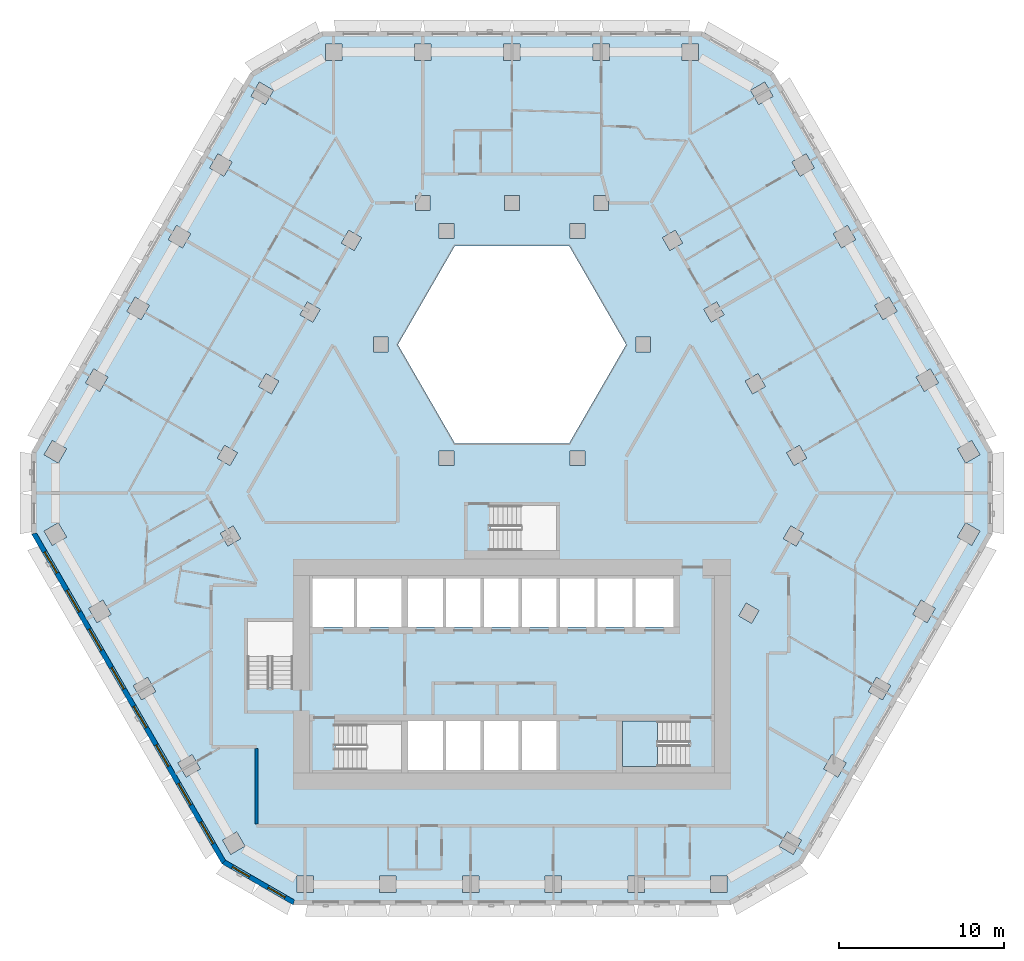
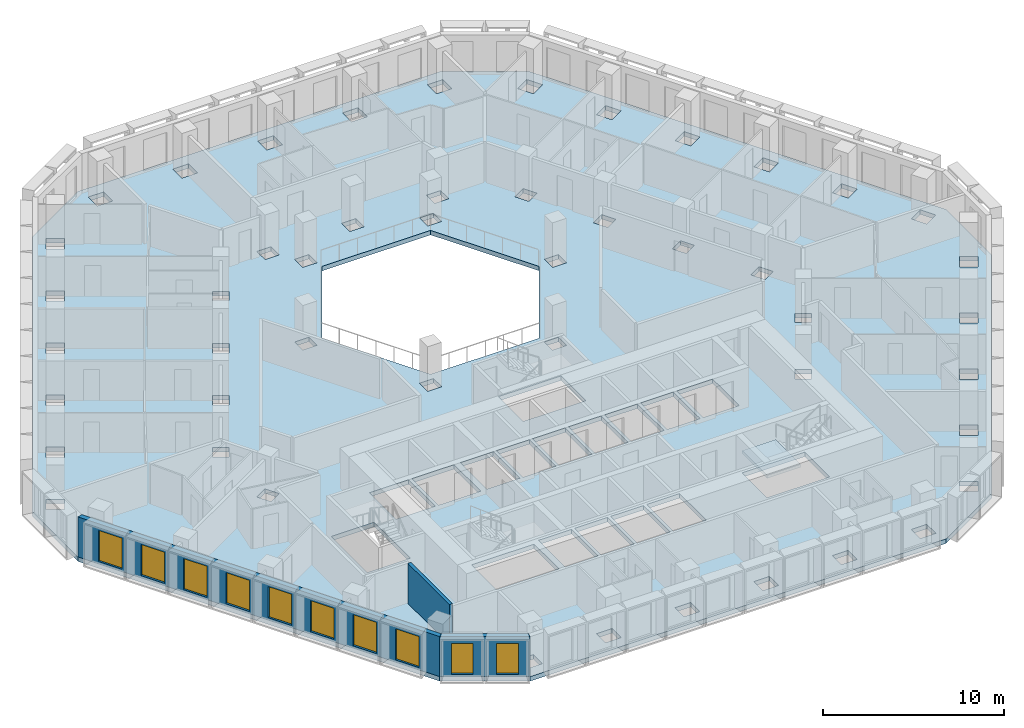
# One storey, part 2 of 18: 10 windows, 3 walls, 2 slabs, 10 openings, 1 element without a shape of its own.
"""IFC4 building model written with IfcOpenShell, lengths in metres."""

from ifc_helpers import new_model, si_unit, direction, frame, frame_2d, origin, place, context, subcontext, project, spatial, polyline, rectangle, outline, extrude, material, layer, layer_set, type_object, element, fill, aggregate, save


model = new_model("IFC4")

# Units and contexts
model_context = context("Model", 3, precision=1e-05, world=origin(), true_north=direction((0.0, 1.0)))
body_context = subcontext(model_context, "Body", "Model", "MODEL_VIEW")
ifc_project = project(units=[si_unit("LENGTHUNIT", "METRE"), si_unit("AREAUNIT", "SQUARE_METRE"), si_unit("VOLUMEUNIT", "CUBIC_METRE"), si_unit("PLANEANGLEUNIT", "RADIAN"), si_unit("MASSUNIT", "GRAM", prefix="KILO")], contexts=[model_context])

# Site, building, storey
site_placement = place(None, origin())
site = spatial("IfcSite", under=ifc_project, at=site_placement, CompositionType="ELEMENT")
building_placement = place(site_placement, origin())
building = spatial("IfcBuilding", under=site, at=building_placement, Name="Beryl Residences", CompositionType="ELEMENT")
storey_placement = place(building_placement, frame((0.0, 0.0, 99.0)))
storey = spatial("IfcBuildingStorey", under=building, at=storey_placement, Name="L30", CompositionType="ELEMENT", Elevation=99.0)

# Slab
ifc_material_1 = material(Name="Concrete C40/50", Category="concrete")
ifc_layer_1 = layer(ifc_material_1, 0.300048828125)
ifc_layer_set_1 = layer_set([ifc_layer_1], Name="SL7 PT floor slab 300 mm C40/50")
slab_type_1 = type_object("IfcSlabType", Name="SL7 PT floor slab 300 mm C40/50", PredefinedType="FLOOR", material=ifc_layer_set_1)
slab_1_placement = place(storey_placement, frame((0.0, 0.0, -0.300048828125)))
element("IfcSlab", 1, at=slab_1_placement, inside=storey, type_object=slab_type_1, Name="L30 slab 1", PredefinedType="FLOOR", context=body_context, shape_type="SweptSolid", body=[
    extrude(outline(polyline([(29.156982421875, -3.5), (17.60888671875, -23.5), (13.279052734375, -26.0), (-13.279052734375, -26.0), (-17.60888671875, -23.5), (-29.156982421875, -3.5), (-29.156982421875, 1.5), (-15.876953125, 24.5), (-11.547119140625, 27.0), (11.547119140625, 27.0), (15.876953125, 24.5), (29.156982421875, 1.5), (29.156982421875, -3.5)]), holes=[polyline([(28.39697265625, 1.31591796875), (27.89697265625, 2.181884765625), (27.031005859375, 1.681884765625), (27.531005859375, 0.81591796875), (28.39697265625, 1.31591796875)]), polyline([(28.39697265625, -3.31591796875), (27.531005859375, -2.81591796875), (27.031005859375, -3.681884765625), (27.89697265625, -4.181884765625), (28.39697265625, -3.31591796875)]), polyline([(25.385009765625, 6.532958984375), (24.51904296875, 6.032958984375), (25.01904296875, 5.1669921875), (25.885009765625, 5.6669921875), (25.385009765625, 6.532958984375)]), polyline([(25.68994140625, -8.00390625), (24.823974609375, -7.50390625), (24.323974609375, -8.3701171875), (25.18994140625, -8.8701171875), (25.68994140625, -8.00390625)]), polyline([(22.873046875, 10.883056640625), (22.007080078125, 10.383056640625), (22.507080078125, 9.51708984375), (23.373046875, 10.01708984375), (22.873046875, 10.883056640625)]), polyline([(22.116943359375, -12.19189453125), (21.616943359375, -13.05810546875), (22.48291015625, -13.55810546875), (22.98291015625, -12.69189453125), (22.116943359375, -12.19189453125)]), polyline([(20.362060546875, 15.23291015625), (19.49609375, 14.73291015625), (19.99609375, 13.866943359375), (20.862060546875, 14.366943359375), (20.362060546875, 15.23291015625)]), polyline([(19.777099609375, -18.24609375), (20.277099609375, -17.3798828125), (19.410888671875, -16.8798828125), (18.910888671875, -17.74609375), (19.777099609375, -18.24609375)]), polyline([(17.85009765625, 19.5830078125), (16.98388671875, 19.0830078125), (17.48388671875, 18.217041015625), (18.35009765625, 18.717041015625), (17.85009765625, 19.5830078125)]), polyline([(17.443115234375, 1.888916015625), (16.6630859375, 1.43896484375), (17.113037109375, 0.658935546875), (17.89306640625, 1.10888671875), (17.443115234375, 1.888916015625)]), polyline([(17.697998046875, -3.447021484375), (16.91796875, -2.9970703125), (16.468017578125, -3.777099609375), (17.248046875, -4.22705078125), (17.697998046875, -3.447021484375)]), polyline([(17.570068359375, -22.068115234375), (16.7041015625, -21.568115234375), (16.2041015625, -22.43408203125), (17.070068359375, -22.93408203125), (17.570068359375, -22.068115234375)]), polyline([(15.839111328125, 23.06689453125), (15.339111328125, 23.93310546875), (14.472900390625, 23.43310546875), (14.972900390625, 22.56689453125), (15.839111328125, 23.06689453125)]), polyline([(14.930908203125, 6.239990234375), (14.15087890625, 5.7900390625), (14.60107421875, 5.010009765625), (15.381103515625, 5.4599609375), (14.930908203125, 6.239990234375)]), polyline([(14.990966796875, -8.135009765625), (14.2109375, -7.68505859375), (13.760986328125, -8.465087890625), (14.541015625, -8.9150390625), (14.990966796875, -8.135009765625)]), polyline([(13.05810546875, -25.25), (13.05810546875, -24.25), (12.05810546875, -24.25), (12.05810546875, -25.25), (13.05810546875, -25.25)]), polyline([(12.419921875, 10.590087890625), (11.639892578125, 10.139892578125), (12.090087890625, 9.360107421875), (12.8701171875, 9.81005859375), (12.419921875, 10.590087890625)]), polyline([(11.324951171875, 26.25), (10.324951171875, 26.25), (10.324951171875, 25.25), (11.324951171875, 25.25), (11.324951171875, 26.25)]), polyline([(10.699951171875, -14.85009765625), (6.699951171875, -14.85009765625), (6.699951171875, -17.60009765625), (10.699951171875, -17.60009765625), (10.699951171875, -14.85009765625)]), polyline([(9.1279296875, 14.489990234375), (9.577880859375, 13.7099609375), (10.35791015625, 14.159912109375), (9.907958984375, 14.93994140625), (9.1279296875, 14.489990234375)]), polyline([(9.800048828125, -6.199951171875), (7.5, -6.199951171875), (7.5, -9.14990234375), (9.800048828125, -9.14990234375), (9.800048828125, -6.199951171875)]), polyline([(8.4169921875, 7.550048828125), (8.4169921875, 8.449951171875), (7.51708984375, 8.449951171875), (7.51708984375, 7.550048828125), (8.4169921875, 7.550048828125)]), polyline([(8.034912109375, -25.25), (8.034912109375, -24.25), (7.034912109375, -24.25), (7.034912109375, -25.25), (8.034912109375, -25.25)]), polyline([(5.199951171875, -6.199951171875), (5.199951171875, -9.14990234375), (7.300048828125, -9.14990234375), (7.300048828125, -6.199951171875), (5.199951171875, -6.199951171875)]), polyline([(3.464111328125, 14.0), (-3.464111328125, 14.0), (-6.92822265625, 8.0), (-3.464111328125, 2.0), (3.464111328125, 2.0), (6.92822265625, 8.0), (3.464111328125, 14.0)]), polyline([(4.912109375, 26.25), (4.912109375, 25.25), (5.912109375, 25.25), (5.912109375, 26.25), (4.912109375, 26.25)]), polyline([(4.9619140625, 17.050048828125), (4.9619140625, 16.14990234375), (5.862060546875, 16.14990234375), (5.862060546875, 17.050048828125), (4.9619140625, 17.050048828125)]), polyline([(2.89990234375, -9.14990234375), (5.0, -9.14990234375), (5.0, -6.199951171875), (2.89990234375, -6.199951171875), (2.89990234375, -9.14990234375)]), polyline([(4.43408203125, 14.449951171875), (4.43408203125, 15.35009765625), (3.533935546875, 15.35009765625), (3.533935546875, 14.449951171875), (4.43408203125, 14.449951171875)]), polyline([(4.43408203125, 0.64990234375), (4.43408203125, 1.550048828125), (3.533935546875, 1.550048828125), (3.533935546875, 0.64990234375), (4.43408203125, 0.64990234375)]), polyline([(2.011962890625, -25.25), (3.011962890625, -25.25), (3.011962890625, -24.25), (2.011962890625, -24.25), (2.011962890625, -25.25)]), polyline([(0.60009765625, -6.199951171875), (0.60009765625, -9.14990234375), (2.699951171875, -9.14990234375), (2.699951171875, -6.199951171875), (0.60009765625, -6.199951171875)]), polyline([(0.60009765625, -17.800048828125), (2.699951171875, -17.800048828125), (2.699951171875, -14.85009765625), (0.60009765625, -14.85009765625), (0.60009765625, -17.800048828125)]), polyline([(-1.300048828125, -1.75), (-1.300048828125, -4.5), (2.699951171875, -4.5), (2.699951171875, -1.75), (-1.300048828125, -1.75)]), polyline([(-0.5009765625, 25.25), (0.4990234375, 25.25), (0.4990234375, 26.25), (-0.5009765625, 26.25), (-0.5009765625, 25.25)]), polyline([(-0.450927734375, 17.050048828125), (-0.450927734375, 16.14990234375), (0.448974609375, 16.14990234375), (0.448974609375, 17.050048828125), (-0.450927734375, 17.050048828125)]), polyline([(-1.699951171875, -9.14990234375), (0.39990234375, -9.14990234375), (0.39990234375, -6.199951171875), (-1.699951171875, -6.199951171875), (-1.699951171875, -9.14990234375)]), polyline([(-1.699951171875, -17.800048828125), (0.39990234375, -17.800048828125), (0.39990234375, -14.85009765625), (-1.699951171875, -14.85009765625), (-1.699951171875, -17.800048828125)]), polyline([(-4.0, -9.14990234375), (-1.89990234375, -9.14990234375), (-1.89990234375, -6.199951171875), (-4.0, -6.199951171875), (-4.0, -9.14990234375)]), polyline([(-4.0, -17.800048828125), (-1.89990234375, -17.800048828125), (-1.89990234375, -14.85009765625), (-4.0, -14.85009765625), (-4.0, -17.800048828125)]), polyline([(-2.010986328125, -25.25), (-2.010986328125, -24.25), (-3.010986328125, -24.25), (-3.010986328125, -25.25), (-2.010986328125, -25.25)]), polyline([(-3.533935546875, 14.449951171875), (-3.533935546875, 15.35009765625), (-4.43408203125, 15.35009765625), (-4.43408203125, 14.449951171875), (-3.533935546875, 14.449951171875)]), polyline([(-3.533935546875, 0.64990234375), (-3.533935546875, 1.550048828125), (-4.43408203125, 1.550048828125), (-4.43408203125, 0.64990234375), (-3.533935546875, 0.64990234375)]), polyline([(-6.300048828125, -17.800048828125), (-4.199951171875, -17.800048828125), (-4.199951171875, -14.85009765625), (-6.300048828125, -14.85009765625), (-6.300048828125, -17.800048828125)]), polyline([(-6.300048828125, -9.14990234375), (-4.199951171875, -9.14990234375), (-4.199951171875, -6.199951171875), (-6.300048828125, -6.199951171875), (-6.300048828125, -9.14990234375)]), polyline([(-5.9140625, 26.25), (-5.9140625, 25.25), (-4.9140625, 25.25), (-4.9140625, 26.25), (-5.9140625, 26.25)]), polyline([(-5.864013671875, 16.14990234375), (-4.964111328125, 16.14990234375), (-4.964111328125, 17.050048828125), (-5.864013671875, 17.050048828125), (-5.864013671875, 16.14990234375)]), polyline([(-6.699951171875, -17.800048828125), (-6.699951171875, -15.050048828125), (-10.699951171875, -15.050048828125), (-10.699951171875, -17.800048828125), (-6.699951171875, -17.800048828125)]), polyline([(-9.39990234375, -9.14990234375), (-6.699951171875, -9.14990234375), (-6.699951171875, -6.199951171875), (-9.39990234375, -6.199951171875), (-9.39990234375, -9.14990234375)]), polyline([(-7.033935546875, -25.25), (-7.033935546875, -24.25), (-8.033935546875, -24.25), (-8.033935546875, -25.25), (-7.033935546875, -25.25)]), polyline([(-8.4169921875, 7.550048828125), (-7.51708984375, 7.550048828125), (-7.51708984375, 8.449951171875), (-8.4169921875, 8.449951171875), (-8.4169921875, 7.550048828125)]), polyline([(-9.577880859375, 13.7099609375), (-9.1279296875, 14.489990234375), (-9.907958984375, 14.93994140625), (-10.35791015625, 14.159912109375), (-9.577880859375, 13.7099609375)]), polyline([(-12.10009765625, -9.14990234375), (-9.60009765625, -9.14990234375), (-9.60009765625, -6.199951171875), (-12.10009765625, -6.199951171875), (-12.10009765625, -9.14990234375)]), polyline([(-11.326904296875, 26.25), (-11.326904296875, 25.25), (-10.326904296875, 25.25), (-10.326904296875, 26.25), (-11.326904296875, 26.25)]), polyline([(-12.868896484375, 9.81005859375), (-12.089111328125, 9.360107421875), (-11.638916015625, 10.139892578125), (-12.4189453125, 10.590087890625), (-12.868896484375, 9.81005859375)]), polyline([(-12.056884765625, -24.25), (-13.056884765625, -24.25), (-13.056884765625, -25.25), (-12.056884765625, -25.25), (-12.056884765625, -24.25)]), polyline([(-13.300048828125, -8.800048828125), (-16.050048828125, -8.800048828125), (-16.050048828125, -12.800048828125), (-13.300048828125, -12.800048828125), (-13.300048828125, -8.800048828125)]), polyline([(-15.381103515625, 5.4599609375), (-14.60107421875, 5.010009765625), (-14.15087890625, 5.7900390625), (-14.930908203125, 6.239990234375), (-15.381103515625, 5.4599609375)]), polyline([(-14.971923828125, 22.568115234375), (-14.471923828125, 23.43408203125), (-15.337890625, 23.93408203125), (-15.837890625, 23.068115234375), (-14.971923828125, 22.568115234375)]), polyline([(-17.070068359375, -22.93408203125), (-16.2041015625, -22.43408203125), (-16.7041015625, -21.568115234375), (-17.570068359375, -22.068115234375), (-17.070068359375, -22.93408203125)]), polyline([(-17.248046875, -4.22705078125), (-16.468017578125, -3.777099609375), (-16.91796875, -2.9970703125), (-17.697998046875, -3.447021484375), (-17.248046875, -4.22705078125)]), polyline([(-17.89208984375, 1.110107421875), (-17.112060546875, 0.659912109375), (-16.662109375, 1.43994140625), (-17.44189453125, 1.889892578125), (-17.89208984375, 1.110107421875)]), polyline([(-18.35009765625, 18.717041015625), (-17.48388671875, 18.217041015625), (-16.98388671875, 19.0830078125), (-17.85009765625, 19.5830078125), (-18.35009765625, 18.717041015625)]), polyline([(-19.777099609375, -18.24609375), (-18.910888671875, -17.74609375), (-19.410888671875, -16.8798828125), (-20.277099609375, -17.3798828125), (-19.777099609375, -18.24609375)]), polyline([(-20.861083984375, 14.366943359375), (-19.9951171875, 13.866943359375), (-19.4951171875, 14.73291015625), (-20.361083984375, 15.23291015625), (-20.861083984375, 14.366943359375)]), polyline([(-21.616943359375, -13.05810546875), (-22.116943359375, -12.19189453125), (-22.98291015625, -12.69189453125), (-22.48291015625, -13.55810546875), (-21.616943359375, -13.05810546875)]), polyline([(-23.373046875, 10.01708984375), (-22.507080078125, 9.51708984375), (-22.007080078125, 10.383056640625), (-22.873046875, 10.883056640625), (-23.373046875, 10.01708984375)]), polyline([(-25.18994140625, -8.8701171875), (-24.323974609375, -8.3701171875), (-24.823974609375, -7.50390625), (-25.68994140625, -8.00390625), (-25.18994140625, -8.8701171875)]), polyline([(-25.385009765625, 6.532958984375), (-25.885009765625, 5.6669921875), (-25.01904296875, 5.1669921875), (-24.51904296875, 6.032958984375), (-25.385009765625, 6.532958984375)]), polyline([(-28.39599609375, 1.31689453125), (-27.530029296875, 0.81689453125), (-27.030029296875, 1.68310546875), (-27.89599609375, 2.18310546875), (-28.39599609375, 1.31689453125)]), polyline([(-27.031005859375, -3.681884765625), (-27.531005859375, -2.81591796875), (-28.39697265625, -3.31591796875), (-27.89697265625, -4.181884765625), (-27.031005859375, -3.681884765625)])]), origin(), (0.0, 0.0, 1.0), 0.300048828125),
])

# Stair, slab
ifc_material_2 = material(Name="Concrete C40/50", Category="concrete")
stair_type = type_object("IfcStairType", Name="ST1 protected exit stair, half-turn, 1300 mm flights", PredefinedType="HALF_TURN_STAIR", material=ifc_material_2)
stair_placement = place(storey_placement, origin())
stair = element("IfcStair", 2, at=stair_placement, inside=storey, type_object=stair_type, Name="L30 PROTECTED EXIT STAIR ST-3", PredefinedType="HALF_TURN_STAIR")
ifc_material_3 = material(Name="Concrete C40/50", Category="concrete")
ifc_layer_2 = layer(ifc_material_3, 0.199951171875)
ifc_layer_set_2 = layer_set([ifc_layer_2], Name="SLD1 stair landing 200 mm")
slab_type_2 = type_object("IfcSlabType", Name="SLD1 stair landing 200 mm", PredefinedType="LANDING", material=ifc_layer_set_2)
slab_2_placement = place(storey_placement, frame((0.0, 0.0, 1.300048828125)))
slab_2 = element("IfcSlab", 3, at=slab_2_placement, type_object=slab_type_2, Name="ST-3 landing 1", PredefinedType="LANDING", context=body_context, shape_type="SweptSolid", body=[
    extrude(outline(polyline([(8.840087890625, -14.85009765625), (6.699951171875, -14.85009765625), (6.699951171875, -17.60009765625), (8.840087890625, -17.60009765625), (8.840087890625, -14.85009765625)])), origin(), (0.0, 0.0, 1.0), 0.199951171875),
])
aggregate(stair, [slab_2])

# Wall, openings, windows
ifc_material_4 = material(Name="Composite metal panel with mineral wool insulation")
ifc_layer_3 = layer(ifc_material_4, 0.300048828125)
ifc_layer_set_3 = layer_set([ifc_layer_3], Name="ES1 pale metal composite panel wall 300 mm")
wall_type_1 = type_object("IfcWallType", Name="ES1 pale metal composite panel wall 300 mm", PredefinedType="SOLIDWALL", material=ifc_layer_set_3)
wall_1_placement = place(storey_placement, frame((-29.027099609375, -3.425048828125, 0.0), z_axis=(0.0, 0.0, 1.0), x_axis=(0.500035407905, -0.866004960056, 0.0)))
wall_1 = element("IfcWall", 4, at=wall_1_placement, inside=storey, type_object=wall_type_1, Name="ES1 external wall L30 SW", PredefinedType="SOLIDWALL", context=body_context, shape_type="SweptSolid", body=[
    extrude(outline(polyline([(0.0, -0.14990234375), (23.094482421875, -0.14990234375), (23.01416015625, 0.14990234375), (0.080322265625, 0.14990234375), (0.0, -0.14990234375)])), origin(), (0.0, 0.0, 1.0), 2.699951171875),
])
opening_1_placement = place(wall_1_placement, frame((1.323974609375, 0.0, 0.14990234375)))
opening_1 = element("IfcOpeningElement", 5, at=opening_1_placement, cuts=wall_1, Name="Opening W1", PredefinedType="OPENING", context=body_context, shape_type="SweptSolid", body=[
    extrude(rectangle(XDim=1.5, YDim=2.10009765625, at=frame_2d((0.75, 1.050048828125))), frame((0.0, 0.159912109375, 0.0), z_axis=(0.0, -1.0, 0.0), x_axis=(1.0, 0.0, 0.0)), (0.0, 0.0, 1.0), 0.320068359375),
])
opening_2_placement = place(wall_1_placement, frame((4.031005859375, 0.0, 0.14990234375)))
opening_2 = element("IfcOpeningElement", 6, at=opening_2_placement, cuts=wall_1, Name="Opening W1", PredefinedType="OPENING", context=body_context, shape_type="SweptSolid", body=[
    extrude(rectangle(XDim=1.5, YDim=2.10009765625, at=frame_2d((0.75, 1.050048828125))), frame((0.0, 0.159912109375, 0.0), z_axis=(0.0, -1.0, 0.0), x_axis=(1.0, 0.0, 0.0)), (0.0, 0.0, 1.0), 0.320068359375),
])
opening_3_placement = place(wall_1_placement, frame((6.737060546875, 0.0, 0.14990234375)))
opening_3 = element("IfcOpeningElement", 7, at=opening_3_placement, cuts=wall_1, Name="Opening W1", PredefinedType="OPENING", context=body_context, shape_type="SweptSolid", body=[
    extrude(rectangle(XDim=1.5, YDim=2.10009765625, at=frame_2d((0.75, 1.050048828125))), frame((0.0, 0.159912109375, 0.0), z_axis=(0.0, -1.0, 0.0), x_axis=(1.0, 0.0, 0.0)), (0.0, 0.0, 1.0), 0.320068359375),
])
opening_4_placement = place(wall_1_placement, frame((9.444091796875, 0.0, 0.14990234375)))
opening_4 = element("IfcOpeningElement", 8, at=opening_4_placement, cuts=wall_1, Name="Opening W1", PredefinedType="OPENING", context=body_context, shape_type="SweptSolid", body=[
    extrude(rectangle(XDim=1.5, YDim=2.10009765625, at=frame_2d((0.75, 1.050048828125))), frame((0.0, 0.159912109375, 0.0), z_axis=(0.0, -1.0, 0.0), x_axis=(1.0, 0.0, 0.0)), (0.0, 0.0, 1.0), 0.320068359375),
])
opening_5_placement = place(wall_1_placement, frame((12.15087890625, 0.0, 0.14990234375)))
opening_5 = element("IfcOpeningElement", 9, at=opening_5_placement, cuts=wall_1, Name="Opening W1", PredefinedType="OPENING", context=body_context, shape_type="SweptSolid", body=[
    extrude(rectangle(XDim=1.5, YDim=2.10009765625, at=frame_2d((0.75, 1.050048828125))), frame((0.0, 0.159912109375, 0.0), z_axis=(0.0, -1.0, 0.0), x_axis=(1.0, 0.0, 0.0)), (0.0, 0.0, 1.0), 0.320068359375),
])
opening_6_placement = place(wall_1_placement, frame((14.85693359375, 0.0, 0.14990234375)))
opening_6 = element("IfcOpeningElement", 10, at=opening_6_placement, cuts=wall_1, Name="Opening W1", PredefinedType="OPENING", context=body_context, shape_type="SweptSolid", body=[
    extrude(rectangle(XDim=1.5, YDim=2.10009765625, at=frame_2d((0.75, 1.050048828125))), frame((0.0, 0.159912109375, 0.0), z_axis=(0.0, -1.0, 0.0), x_axis=(1.0, 0.0, 0.0)), (0.0, 0.0, 1.0), 0.320068359375),
])
opening_7_placement = place(wall_1_placement, frame((17.56396484375, 0.0, 0.14990234375)))
opening_7 = element("IfcOpeningElement", 11, at=opening_7_placement, cuts=wall_1, Name="Opening W1", PredefinedType="OPENING", context=body_context, shape_type="SweptSolid", body=[
    extrude(rectangle(XDim=1.5, YDim=2.10009765625, at=frame_2d((0.75, 1.050048828125))), frame((0.0, 0.159912109375, 0.0), z_axis=(0.0, -1.0, 0.0), x_axis=(1.0, 0.0, 0.0)), (0.0, 0.0, 1.0), 0.320068359375),
])
opening_8_placement = place(wall_1_placement, frame((20.27001953125, 0.0, 0.14990234375)))
opening_8 = element("IfcOpeningElement", 12, at=opening_8_placement, cuts=wall_1, Name="Opening W1", PredefinedType="OPENING", context=body_context, shape_type="SweptSolid", body=[
    extrude(rectangle(XDim=1.5, YDim=2.10009765625, at=frame_2d((0.75, 1.050048828125))), frame((0.0, 0.159912109375, 0.0), z_axis=(0.0, -1.0, 0.0), x_axis=(1.0, 0.0, 0.0)), (0.0, 0.0, 1.0), 0.320068359375),
])
ifc_material_5 = material(Name="Aluminium and clear glass", Category="aluminium")
window_type_1 = type_object("IfcWindowType", Name="W1 cell window 1500 x 2100 mm", PartitioningType="SINGLE_PANEL", PredefinedType="WINDOW", material=ifc_material_5)
window_1_placement = place(opening_1_placement, origin())
window_1 = element("IfcWindow", 13, at=window_1_placement, inside=storey, type_object=window_type_1, Name="W1 window L30 SW 1", OverallHeight=2.10009765625, OverallWidth=1.5, PartitioningType="SINGLE_PANEL", PredefinedType="WINDOW", context=body_context, shape_type="SweptSolid", body=[
    extrude(rectangle(XDim=1.5, YDim=2.10009765625, at=frame_2d((0.75, 1.050048828125))), frame((0.0, 0.030029296875, 0.0), z_axis=(0.0, -1.0, 0.0), x_axis=(1.0, 0.0, 0.0)), (0.0, 0.0, 1.0), 0.06005859375),
])
fill(opening_1, window_1)
window_2_placement = place(opening_2_placement, origin())
window_2 = element("IfcWindow", 14, at=window_2_placement, inside=storey, type_object=window_type_1, Name="W1 window L30 SW 2", OverallHeight=2.10009765625, OverallWidth=1.5, PartitioningType="SINGLE_PANEL", PredefinedType="WINDOW", context=body_context, shape_type="SweptSolid", body=[
    extrude(rectangle(XDim=1.5, YDim=2.10009765625, at=frame_2d((0.75, 1.050048828125))), frame((0.0, 0.030029296875, 0.0), z_axis=(0.0, -1.0, 0.0), x_axis=(1.0, 0.0, 0.0)), (0.0, 0.0, 1.0), 0.06005859375),
])
fill(opening_2, window_2)
window_3_placement = place(opening_3_placement, origin())
window_3 = element("IfcWindow", 15, at=window_3_placement, inside=storey, type_object=window_type_1, Name="W1 window L30 SW 3", OverallHeight=2.10009765625, OverallWidth=1.5, PartitioningType="SINGLE_PANEL", PredefinedType="WINDOW", context=body_context, shape_type="SweptSolid", body=[
    extrude(rectangle(XDim=1.5, YDim=2.10009765625, at=frame_2d((0.75, 1.050048828125))), frame((0.0, 0.030029296875, 0.0), z_axis=(0.0, -1.0, 0.0), x_axis=(1.0, 0.0, 0.0)), (0.0, 0.0, 1.0), 0.06005859375),
])
fill(opening_3, window_3)
window_4_placement = place(opening_4_placement, origin())
window_4 = element("IfcWindow", 16, at=window_4_placement, inside=storey, type_object=window_type_1, Name="W1 window L30 SW 4", OverallHeight=2.10009765625, OverallWidth=1.5, PartitioningType="SINGLE_PANEL", PredefinedType="WINDOW", context=body_context, shape_type="SweptSolid", body=[
    extrude(rectangle(XDim=1.5, YDim=2.10009765625, at=frame_2d((0.75, 1.050048828125))), frame((0.0, 0.030029296875, 0.0), z_axis=(0.0, -1.0, 0.0), x_axis=(1.0, 0.0, 0.0)), (0.0, 0.0, 1.0), 0.06005859375),
])
fill(opening_4, window_4)
window_5_placement = place(opening_5_placement, origin())
window_5 = element("IfcWindow", 17, at=window_5_placement, inside=storey, type_object=window_type_1, Name="W1 window L30 SW 5", OverallHeight=2.10009765625, OverallWidth=1.5, PartitioningType="SINGLE_PANEL", PredefinedType="WINDOW", context=body_context, shape_type="SweptSolid", body=[
    extrude(rectangle(XDim=1.5, YDim=2.10009765625, at=frame_2d((0.75, 1.050048828125))), frame((0.0, 0.030029296875, 0.0), z_axis=(0.0, -1.0, 0.0), x_axis=(1.0, 0.0, 0.0)), (0.0, 0.0, 1.0), 0.06005859375),
])
fill(opening_5, window_5)
window_6_placement = place(opening_6_placement, origin())
window_6 = element("IfcWindow", 18, at=window_6_placement, inside=storey, type_object=window_type_1, Name="W1 window L30 SW 6", OverallHeight=2.10009765625, OverallWidth=1.5, PartitioningType="SINGLE_PANEL", PredefinedType="WINDOW", context=body_context, shape_type="SweptSolid", body=[
    extrude(rectangle(XDim=1.5, YDim=2.10009765625, at=frame_2d((0.75, 1.050048828125))), frame((0.0, 0.030029296875, 0.0), z_axis=(0.0, -1.0, 0.0), x_axis=(1.0, 0.0, 0.0)), (0.0, 0.0, 1.0), 0.06005859375),
])
fill(opening_6, window_6)
window_7_placement = place(opening_7_placement, origin())
window_7 = element("IfcWindow", 19, at=window_7_placement, inside=storey, type_object=window_type_1, Name="W1 window L30 SW 7", OverallHeight=2.10009765625, OverallWidth=1.5, PartitioningType="SINGLE_PANEL", PredefinedType="WINDOW", context=body_context, shape_type="SweptSolid", body=[
    extrude(rectangle(XDim=1.5, YDim=2.10009765625, at=frame_2d((0.75, 1.050048828125))), frame((0.0, 0.030029296875, 0.0), z_axis=(0.0, -1.0, 0.0), x_axis=(1.0, 0.0, 0.0)), (0.0, 0.0, 1.0), 0.06005859375),
])
fill(opening_7, window_7)
window_8_placement = place(opening_8_placement, origin())
window_8 = element("IfcWindow", 20, at=window_8_placement, inside=storey, type_object=window_type_1, Name="W1 window L30 SW 8", OverallHeight=2.10009765625, OverallWidth=1.5, PartitioningType="SINGLE_PANEL", PredefinedType="WINDOW", context=body_context, shape_type="SweptSolid", body=[
    extrude(rectangle(XDim=1.5, YDim=2.10009765625, at=frame_2d((0.75, 1.050048828125))), frame((0.0, 0.030029296875, 0.0), z_axis=(0.0, -1.0, 0.0), x_axis=(1.0, 0.0, 0.0)), (0.0, 0.0, 1.0), 0.06005859375),
])
fill(opening_8, window_8)

wall_2_placement = place(storey_placement, frame((-17.533935546875, -23.3701171875, 0.0), z_axis=(0.0, 0.0, 1.0), x_axis=(0.866010750942, -0.50002537861, 0.0)))
wall_2 = element("IfcWall", 21, at=wall_2_placement, inside=storey, type_object=wall_type_1, Name="ES1 external wall L30 SW-S", PredefinedType="SOLIDWALL", context=body_context, shape_type="SweptSolid", body=[
    extrude(outline(polyline([(0.0, -0.14990234375), (4.999755859375, -0.14990234375), (4.91943359375, 0.14990234375), (0.080322265625, 0.14990234375), (0.0, -0.14990234375)])), origin(), (0.0, 0.0, 1.0), 2.699951171875),
])
opening_9_placement = place(wall_2_placement, frame((0.64990234375, 0.0, 0.14990234375)))
opening_9 = element("IfcOpeningElement", 22, at=opening_9_placement, cuts=wall_2, Name="Opening W2", PredefinedType="OPENING", context=body_context, shape_type="SweptSolid", body=[
    extrude(rectangle(XDim=1.199951171875, YDim=2.10009765625, at=frame_2d((0.60009765625, 1.050048828125))), frame((0.0, 0.159912109375, 0.0), z_axis=(0.0, -1.0, 0.0), x_axis=(1.0, 0.0, 0.0)), (0.0, 0.0, 1.0), 0.320068359375),
])
opening_10_placement = place(wall_2_placement, frame((3.14990234375, 0.0, 0.14990234375)))
opening_10 = element("IfcOpeningElement", 23, at=opening_10_placement, cuts=wall_2, Name="Opening W2", PredefinedType="OPENING", context=body_context, shape_type="SweptSolid", body=[
    extrude(rectangle(XDim=1.199951171875, YDim=2.10009765625, at=frame_2d((0.60009765625, 1.050048828125))), frame((0.0, 0.159912109375, 0.0), z_axis=(0.0, -1.0, 0.0), x_axis=(1.0, 0.0, 0.0)), (0.0, 0.0, 1.0), 0.320068359375),
])
ifc_material_6 = material(Name="Aluminium and clear glass", Category="aluminium")
window_type_2 = type_object("IfcWindowType", Name="W2 chamfer window 1200 x 2100 mm", PartitioningType="SINGLE_PANEL", PredefinedType="WINDOW", material=ifc_material_6)
window_9_placement = place(opening_9_placement, origin())
window_9 = element("IfcWindow", 24, at=window_9_placement, inside=storey, type_object=window_type_2, Name="W2 window L30 SW-S 1", OverallHeight=2.10009765625, OverallWidth=1.199951171875, PartitioningType="SINGLE_PANEL", PredefinedType="WINDOW", context=body_context, shape_type="SweptSolid", body=[
    extrude(rectangle(XDim=1.199951171875, YDim=2.10009765625, at=frame_2d((0.60009765625, 1.050048828125))), frame((0.0, 0.030029296875, 0.0), z_axis=(0.0, -1.0, 0.0), x_axis=(1.0, 0.0, 0.0)), (0.0, 0.0, 1.0), 0.06005859375),
])
fill(opening_9, window_9)
window_10_placement = place(opening_10_placement, origin())
window_10 = element("IfcWindow", 25, at=window_10_placement, inside=storey, type_object=window_type_2, Name="W2 window L30 SW-S 2", OverallHeight=2.10009765625, OverallWidth=1.199951171875, PartitioningType="SINGLE_PANEL", PredefinedType="WINDOW", context=body_context, shape_type="SweptSolid", body=[
    extrude(rectangle(XDim=1.199951171875, YDim=2.10009765625, at=frame_2d((0.60009765625, 1.050048828125))), frame((0.0, 0.030029296875, 0.0), z_axis=(0.0, -1.0, 0.0), x_axis=(1.0, 0.0, 0.0)), (0.0, 0.0, 1.0), 0.06005859375),
])
fill(opening_10, window_10)

# Wall
ifc_material_7 = material(Name="Double stud gypsum board wall")
ifc_layer_4 = layer(ifc_material_7, 0.199951171875)
ifc_layer_set_4 = layer_set([ifc_layer_4], Name="PT4 corridor wall 200 mm double stud")
wall_type_2 = type_object("IfcWallType", Name="PT4 corridor wall 200 mm double stud", PredefinedType="PARTITIONING", material=ifc_layer_set_4)
wall_3_placement = place(storey_placement, frame((-15.5, -16.5009765625, 0.0), z_axis=(0.0, 0.0, 1.0), x_axis=(0.0, -1.0, 0.0)))
element("IfcWall", 26, at=wall_3_placement, inside=storey, type_object=wall_type_2, Name="Wall PT4 L30 008", PredefinedType="PARTITIONING", context=body_context, shape_type="SweptSolid", body=[
    extrude(rectangle(XDim=4.59814453125, YDim=0.199951171875, at=frame_2d((2.299072265625, 0.0))), origin(), (0.0, 0.0, 1.0), 2.699951171875),
])

save(model, "model.ifc")
